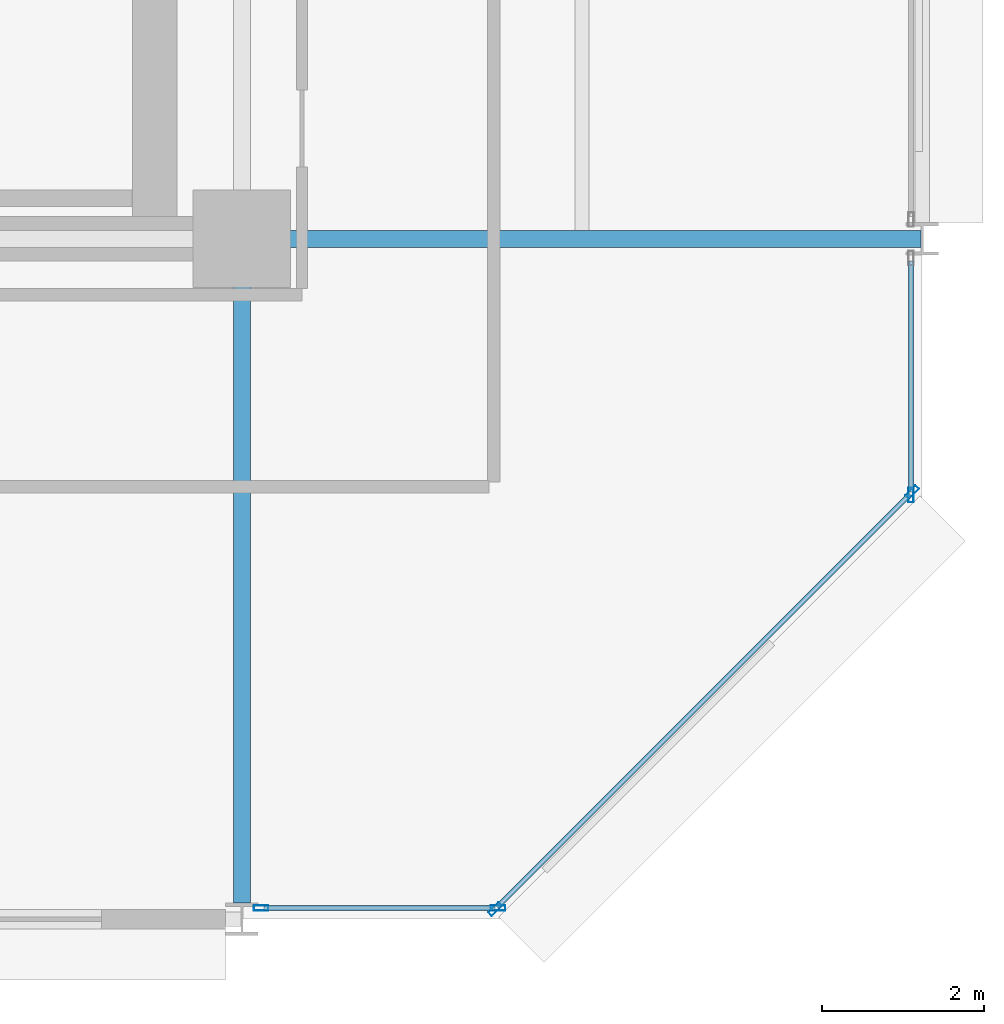
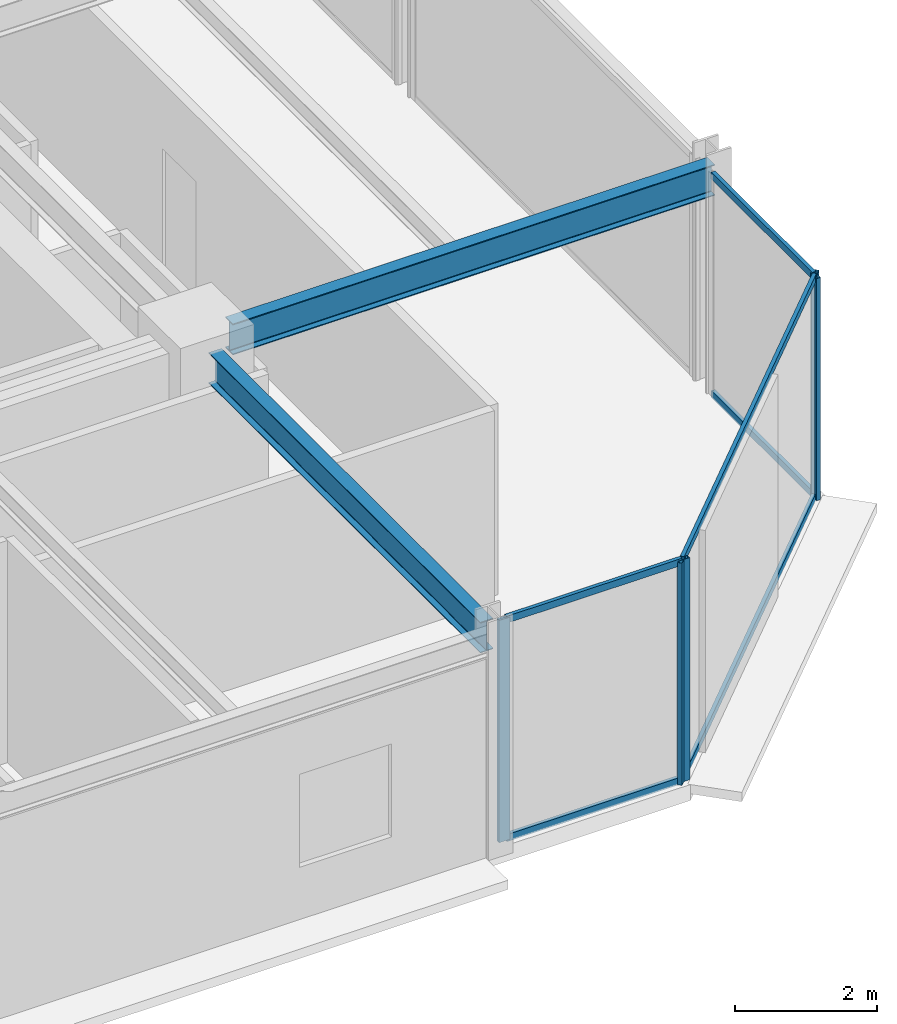
# One storey, part 13 of 30: 11 members, 2 beams, 3 elements without a shape of their own.
"""IFC4 building model written with IfcOpenShell, lengths in metres."""

from ifc_helpers import new_model, si_unit, direction, frame, origin, origin_2d, place, context, subcontext, project, spatial, hollow_rectangle, i_section, extrude, material, layer, layer_set, material_profile, profile_set, type_object, element, aggregate, save


model = new_model("IFC4")

# Units and contexts
model_context = context("Model", 3, precision=1e-05, world=origin(), true_north=direction((0.0, 1.0)))
body_context = subcontext(model_context, "Body", "Model", "MODEL_VIEW")
ifc_project = project(units=[si_unit("LENGTHUNIT", "METRE"), si_unit("AREAUNIT", "SQUARE_METRE"), si_unit("VOLUMEUNIT", "CUBIC_METRE"), si_unit("PLANEANGLEUNIT", "RADIAN"), si_unit("MASSUNIT", "GRAM", prefix="KILO")], contexts=[model_context])

# Site, building, storey
site_placement = place(None, origin())
site = spatial("IfcSite", under=ifc_project, at=site_placement, CompositionType="ELEMENT")
building_placement = place(site_placement, origin())
building = spatial("IfcBuilding", under=site, at=building_placement, Name="Nerrivon Quay Data Exchange", CompositionType="ELEMENT")
storey_placement = place(building_placement, frame((0.0, 0.0, 117.199951171875)))
storey = spatial("IfcBuildingStorey", under=building, at=storey_placement, Name="L27", CompositionType="ELEMENT", Elevation=117.199951171875)

# Beams
ifc_material_1 = material(Name="Steel Grade 350", Category="steel")
ifc_material_profile_1 = material_profile(ifc_material_1, i_section(OverallWidth=0.208984375, OverallDepth=0.532958984375, WebThickness=0.01025390625, FlangeThickness=0.015625, FilletRadius=0.013916015625, at=origin_2d()), Name="530UB92.4")
ifc_profile_set_1 = profile_set([ifc_material_profile_1], Name="Steel Grade 350")
beam_type_1 = type_object("IfcBeamType", Name="BM-G3-530UB92", PredefinedType="BEAM", material=ifc_profile_set_1)
beam_1_placement = place(storey_placement, frame((34.139892578125, 8.39990234375, 3.55859375), z_axis=(1.0, 0.0, 0.0), x_axis=(0.0, 1.0, 0.0)))
element("IfcBeam", 1, at=beam_1_placement, inside=storey, type_object=beam_type_1, Name="L27 EW Girder Y=8.4 (33.6..42.0)", PredefinedType="BEAM", context=body_context, shape_type="SweptSolid", body=[
    extrude(i_section(OverallWidth=0.208984375, OverallDepth=0.532958984375, WebThickness=0.01025390625, FlangeThickness=0.015625, FilletRadius=0.013916015625, at=origin_2d()), origin(), (0.0, 0.0, 1.0), 7.84765625),
])
ifc_material_profile_2 = material_profile(ifc_material_1, i_section(OverallWidth=0.208984375, OverallDepth=0.528076171875, WebThickness=0.009521484375, FlangeThickness=0.01318359375, FilletRadius=0.013916015625, at=origin_2d()), Name="530UB82.0")
ifc_profile_set_2 = profile_set([ifc_material_profile_2], Name="Steel Grade 350")
beam_type_2 = type_object("IfcBeamType", Name="BM-G4-530UB82", PredefinedType="BEAM", material=ifc_profile_set_2)
beam_2_placement = place(storey_placement, frame((33.60009765625, 0.199951171875, 3.56103515625), z_axis=(0.0, 1.0, 0.0), x_axis=(-1.0, 0.0, 0.0)))
element("IfcBeam", 2, at=beam_2_placement, inside=storey, type_object=beam_type_2, Name="L27 NS Girder X=33.6 (0.0..8.4)", PredefinedType="BEAM", context=body_context, shape_type="SweptSolid", body=[
    extrude(i_section(OverallWidth=0.208984375, OverallDepth=0.528076171875, WebThickness=0.009521484375, FlangeThickness=0.01318359375, FilletRadius=0.013916015625, at=origin_2d()), origin(), (0.0, 0.0, 1.0), 7.66015625),
])

# Curtain wall, members
ifc_material_2 = material(Name="Anodised aluminium 6063-T6", Category="aluminium")
ifc_layer = layer(ifc_material_2, 0.2099609375)
ifc_layer_set = layer_set([ifc_layer], Name="Anodised aluminium 6063-T6")
curtain_wall_type = type_object("IfcCurtainWallType", Name="CW-SYS-02", PredefinedType="NOTDEFINED", material=ifc_layer_set)
curtain_wall_1_placement = place(storey_placement, origin())
curtain_wall_1 = element("IfcCurtainWall", 3, at=curtain_wall_1_placement, inside=storey, type_object=curtain_wall_type, Name="L27 Unitised Curtain Wall 1", PredefinedType="NOTDEFINED")
ifc_material_profile_3 = material_profile(ifc_material_2, hollow_rectangle(XDim=0.06494140625, YDim=0.179931640625, WallThickness=0.00341796875, at=origin_2d()), Name="ALU-MULL-180x65")
ifc_profile_set_3 = profile_set([ifc_material_profile_3], Name="Anodised aluminium 6063-T6")
member_type_1 = type_object("IfcMemberType", Name="CWM-180x65", PredefinedType="MULLION", material=ifc_profile_set_3)
member_1_placement = place(storey_placement, frame((41.87451171875, 5.2724609375, 0.0), z_axis=(0.0, 0.0, 1.0), x_axis=(0.707106781187, -0.707106781187, 0.0)))
member_1 = element("IfcMember", 4, at=member_1_placement, type_object=member_type_1, Name="CW02 mullion 1", PredefinedType="MULLION", context=body_context, shape_type="SweptSolid", body=[
    extrude(hollow_rectangle(XDim=0.06494140625, YDim=0.179931640625, WallThickness=0.00341796875, at=origin_2d()), origin(), (0.0, 0.0, 1.0), 3.824951171875),
])
member_2_placement = place(storey_placement, frame((36.7275390625, 0.12548828125, 0.0), z_axis=(0.0, 0.0, 1.0), x_axis=(0.707106781187, -0.707106781187, 0.0)))
member_2 = element("IfcMember", 5, at=member_2_placement, type_object=member_type_1, Name="CW02 mullion 2", PredefinedType="MULLION", context=body_context, shape_type="SweptSolid", body=[
    extrude(hollow_rectangle(XDim=0.06494140625, YDim=0.179931640625, WallThickness=0.00341796875, at=origin_2d()), origin(), (0.0, 0.0, 1.0), 3.824951171875),
])

curtain_wall_2_placement = place(storey_placement, origin())
curtain_wall_2 = element("IfcCurtainWall", 6, at=curtain_wall_2_placement, inside=storey, type_object=curtain_wall_type, Name="L27 Unitised Curtain Wall 2", PredefinedType="NOTDEFINED")
member_3_placement = place(storey_placement, frame((36.762451171875, 0.139892578125, 0.0), z_axis=(0.0, 0.0, 1.0), x_axis=(0.0, -1.0, 0.0)))
member_3 = element("IfcMember", 7, at=member_3_placement, type_object=member_type_1, Name="CW02 mullion 1", PredefinedType="MULLION", context=body_context, shape_type="SweptSolid", body=[
    extrude(hollow_rectangle(XDim=0.06494140625, YDim=0.179931640625, WallThickness=0.00341796875, at=origin_2d()), origin(), (0.0, 0.0, 1.0), 3.824951171875),
])
member_4_placement = place(storey_placement, frame((33.83740234375, 0.139892578125, 0.0), z_axis=(0.0, 0.0, 1.0), x_axis=(0.0, -1.0, 0.0)))
member_4 = element("IfcMember", 8, at=member_4_placement, type_object=member_type_1, Name="CW02 mullion 2", PredefinedType="MULLION", context=body_context, shape_type="SweptSolid", body=[
    extrude(hollow_rectangle(XDim=0.06494140625, YDim=0.179931640625, WallThickness=0.00341796875, at=origin_2d()), origin(), (0.0, 0.0, 1.0), 3.824951171875),
])

# Curtain wall, member
curtain_wall_3_placement = place(storey_placement, origin())
curtain_wall_3 = element("IfcCurtainWall", 9, at=curtain_wall_3_placement, inside=storey, type_object=curtain_wall_type, Name="L27 Unitised Curtain Wall 30", PredefinedType="NOTDEFINED")
member_5_placement = place(storey_placement, frame((41.860107421875, 5.237548828125, 0.0), z_axis=(0.0, 0.0, 1.0), x_axis=(1.0, 0.0, 0.0)))
member_5 = element("IfcMember", 10, at=member_5_placement, type_object=member_type_1, Name="CW02 mullion 2", PredefinedType="MULLION", context=body_context, shape_type="SweptSolid", body=[
    extrude(hollow_rectangle(XDim=0.06494140625, YDim=0.179931640625, WallThickness=0.00341796875, at=origin_2d()), origin(), (0.0, 0.0, 1.0), 3.824951171875),
])

# Member
ifc_material_profile_4 = material_profile(ifc_material_2, hollow_rectangle(XDim=0.06005859375, YDim=0.1201171875, WallThickness=0.003173828125, at=origin_2d()), Name="ALU-TRAN-120x60")
ifc_profile_set_4 = profile_set([ifc_material_profile_4], Name="Anodised aluminium 6063-T6")
member_type_2 = type_object("IfcMemberType", Name="CWT-120x60", PredefinedType="USERDEFINED", material=ifc_profile_set_4)
member_6_placement = place(storey_placement, frame((41.847900390625, 5.245849609375, 0.032470703125), z_axis=(-0.707106781187, -0.707106781187, 0.0), x_axis=(0.707106781187, -0.707106781187, 0.0)))
member_6 = element("IfcMember", 11, at=member_6_placement, type_object=member_type_2, Name="CW02 transom 1.1", ObjectType="TRANSOM", PredefinedType="USERDEFINED", context=body_context, shape_type="SweptSolid", body=[
    extrude(hollow_rectangle(XDim=0.06005859375, YDim=0.1201171875, WallThickness=0.003173828125, at=origin_2d()), origin(), (0.0, 0.0, 1.0), 7.20361328125),
])

member_7_placement = place(storey_placement, frame((41.847900390625, 5.245849609375, 3.79248046875), z_axis=(-0.707106781187, -0.707106781187, 0.0), x_axis=(0.707106781187, -0.707106781187, 0.0)))
member_7 = element("IfcMember", 12, at=member_7_placement, type_object=member_type_2, Name="CW02 transom 1.2", ObjectType="TRANSOM", PredefinedType="USERDEFINED", context=body_context, shape_type="SweptSolid", body=[
    extrude(hollow_rectangle(XDim=0.06005859375, YDim=0.1201171875, WallThickness=0.003173828125, at=origin_2d()), origin(), (0.0, 0.0, 1.0), 7.20361328125),
])

aggregate(curtain_wall_1, [member_1, member_2, member_6, member_7])

member_8_placement = place(storey_placement, frame((36.72509765625, 0.139892578125, 0.032470703125), z_axis=(-1.0, 0.0, 0.0), x_axis=(0.0, -1.0, 0.0)))
member_8 = element("IfcMember", 13, at=member_8_placement, type_object=member_type_2, Name="CW02 transom 1.1", ObjectType="TRANSOM", PredefinedType="USERDEFINED", context=body_context, shape_type="SweptSolid", body=[
    extrude(hollow_rectangle(XDim=0.06005859375, YDim=0.1201171875, WallThickness=0.003173828125, at=origin_2d()), origin(), (0.0, 0.0, 1.0), 2.85009765625),
])

member_9_placement = place(storey_placement, frame((36.72509765625, 0.139892578125, 3.79248046875), z_axis=(-1.0, 0.0, 0.0), x_axis=(0.0, -1.0, 0.0)))
member_9 = element("IfcMember", 14, at=member_9_placement, type_object=member_type_2, Name="CW02 transom 1.2", ObjectType="TRANSOM", PredefinedType="USERDEFINED", context=body_context, shape_type="SweptSolid", body=[
    extrude(hollow_rectangle(XDim=0.06005859375, YDim=0.1201171875, WallThickness=0.003173828125, at=origin_2d()), origin(), (0.0, 0.0, 1.0), 2.85009765625),
])

aggregate(curtain_wall_2, [member_3, member_4, member_8, member_9])

member_10_placement = place(storey_placement, frame((41.860107421875, 8.125, 0.032470703125), z_axis=(0.0, -1.0, 0.0), x_axis=(1.0, 0.0, 0.0)))
member_10 = element("IfcMember", 15, at=member_10_placement, type_object=member_type_2, Name="CW02 transom 1.1", ObjectType="TRANSOM", PredefinedType="USERDEFINED", context=body_context, shape_type="SweptSolid", body=[
    extrude(hollow_rectangle(XDim=0.06005859375, YDim=0.1201171875, WallThickness=0.003173828125, at=origin_2d()), origin(), (0.0, 0.0, 1.0), 2.85009765625),
])

member_11_placement = place(storey_placement, frame((41.860107421875, 8.125, 3.79248046875), z_axis=(0.0, -1.0, 0.0), x_axis=(1.0, 0.0, 0.0)))
member_11 = element("IfcMember", 16, at=member_11_placement, type_object=member_type_2, Name="CW02 transom 1.2", ObjectType="TRANSOM", PredefinedType="USERDEFINED", context=body_context, shape_type="SweptSolid", body=[
    extrude(hollow_rectangle(XDim=0.06005859375, YDim=0.1201171875, WallThickness=0.003173828125, at=origin_2d()), origin(), (0.0, 0.0, 1.0), 2.85009765625),
])

aggregate(curtain_wall_3, [member_5, member_10, member_11])

save(model, "model.ifc")
